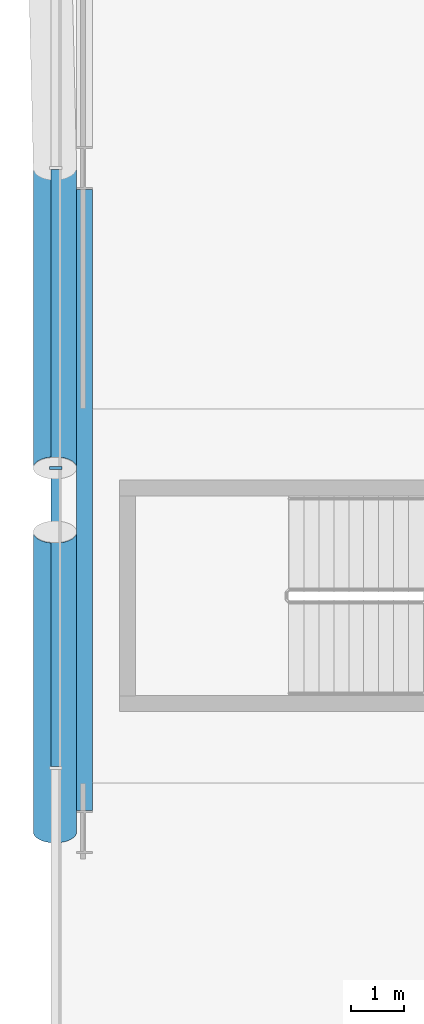
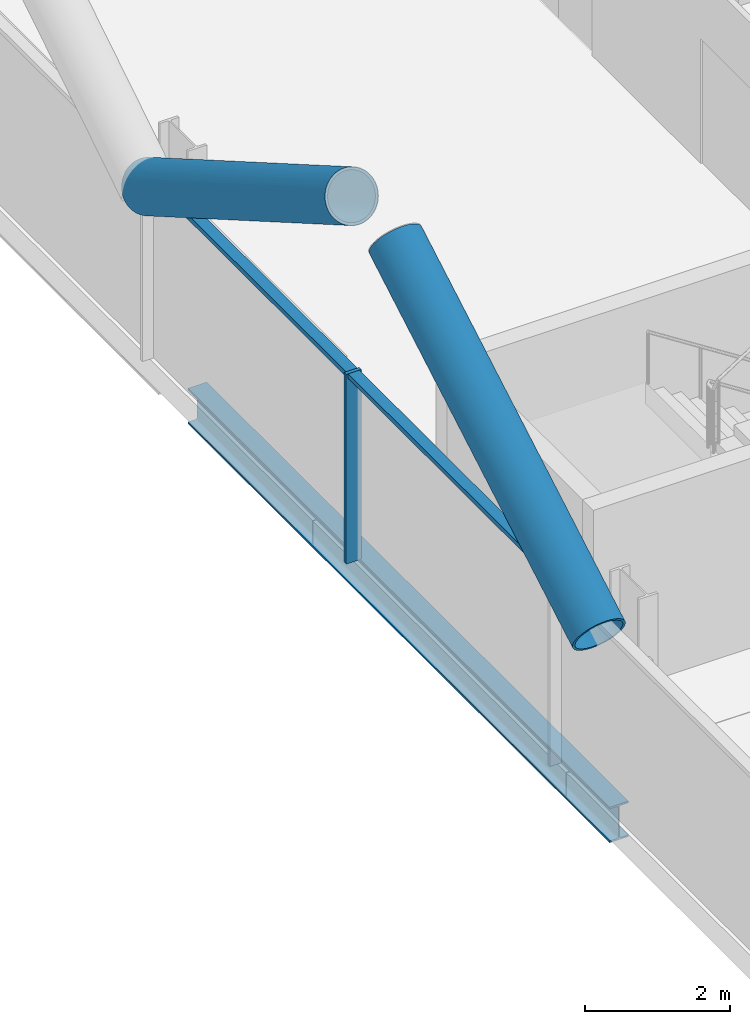
# One storey, part 6 of 25: 5 members, 1 beam, 1 element without a shape of its own.
"""IFC4 building model written with IfcOpenShell, lengths in metres."""

from ifc_helpers import new_model, si_unit, direction, frame, origin, origin_2d, place, context, subcontext, project, spatial, rectangle, hollow_circle, i_section, extrude, material, material_profile, profile_set, type_object, element, aggregate, save


model = new_model("IFC4")

# Units and contexts
model_context = context("Model", 3, precision=1e-05, world=origin(), true_north=direction((0.0, 1.0)))
body_context = subcontext(model_context, "Body", "Model", "MODEL_VIEW")
ifc_project = project(units=[si_unit("LENGTHUNIT", "METRE"), si_unit("AREAUNIT", "SQUARE_METRE"), si_unit("VOLUMEUNIT", "CUBIC_METRE"), si_unit("PLANEANGLEUNIT", "RADIAN"), si_unit("MASSUNIT", "GRAM", prefix="KILO")], contexts=[model_context])

# Site, building, storey
site_placement = place(None, origin())
site = spatial("IfcSite", under=ifc_project, at=site_placement, CompositionType="ELEMENT")
building_placement = place(site_placement, origin())
building = spatial("IfcBuilding", under=site, at=building_placement, Name="Wharfspan Tower", CompositionType="ELEMENT")
storey_placement = place(building_placement, frame((0.0, 0.0, 129.100098)))
storey = spatial("IfcBuildingStorey", under=building, at=storey_placement, Name="L30", CompositionType="ELEMENT", Elevation=129.100098)

# Beam
ifc_material_1 = material(Name="Steel S355J2", Category="steel")
ifc_material_profile_1 = material_profile(ifc_material_1, i_section(OverallWidth=0.300049, OverallDepth=0.600098, WebThickness=0.015381, FlangeThickness=0.030029, FilletRadius=0.0271, at=origin_2d()))
ifc_profile_set_1 = profile_set([ifc_material_profile_1], Name="Steel S355J2")
beam_type = type_object("IfcBeamType", Name="Edge beam HEB 600", PredefinedType="SPANDREL", material=ifc_profile_set_1)
beam_placement = place(storey_placement, frame((7.540039, 30.330322, -0.700195), z_axis=(0.0, -1.0, 0.0), x_axis=(1.0, 0.0, 0.0)))
element("IfcBeam", 1, at=beam_placement, inside=storey, type_object=beam_type, Name="Edge beam W L30 PW.1 to PW.2", PredefinedType="SPANDREL", context=body_context, shape_type="SweptSolid", body=[
    extrude(i_section(OverallWidth=0.300049, OverallDepth=0.600098, WebThickness=0.015381, FlangeThickness=0.030029, FilletRadius=0.0271, at=origin_2d()), origin(), (0.0, 0.0, 1.0), 11.660645),
])

# Curtain wall, member
ifc_material_2 = material(Name="Aluminium 6063-T6", Category="aluminium")
curtain_wall_type = type_object("IfcCurtainWallType", Name="CURTAIN WALL PROW AND END", PredefinedType="NOTDEFINED", material=ifc_material_2)
curtain_wall_placement = place(storey_placement, origin())
curtain_wall = element("IfcCurtainWall", 2, at=curtain_wall_placement, inside=storey, type_object=curtain_wall_type, Name="Curtain wall W", PredefinedType="NOTDEFINED")
ifc_material_profile_2 = material_profile(ifc_material_2, rectangle(XDim=0.23999, YDim=0.060059, at=origin_2d()))
ifc_profile_set_2 = profile_set([ifc_material_profile_2], Name="Aluminium 6063-T6")
member_type_1 = type_object("IfcMemberType", Name="MULLION PROW AND END 60x240", PredefinedType="MULLION", material=ifc_profile_set_2)
member_1_placement = place(storey_placement, frame((7.0, 25.100098, 0.0), z_axis=(0.0, 0.0, 1.0), x_axis=(1.0, 0.0, 0.0)))
member_1 = element("IfcMember", 3, at=member_1_placement, type_object=member_type_1, Name="Curtain wall W mullion 4", PredefinedType="MULLION", context=body_context, shape_type="SweptSolid", body=[
    extrude(rectangle(XDim=0.23999, YDim=0.060059, at=origin_2d()), origin(), (0.0, 0.0, 1.0), 3.199951),
])

# Members
ifc_material_3 = material(Name="Steel S460NH", Category="steel")
ifc_material_profile_3 = material_profile(ifc_material_3, hollow_circle(Radius=0.406494, WallThickness=0.040039, at=origin_2d()))
ifc_profile_set_3 = profile_set([ifc_material_profile_3], Name="Steel S460NH")
member_type_2 = type_object("IfcMemberType", Name="Mega brace CHS 813x40", PredefinedType="BRACE", material=ifc_profile_set_3)
for number, where, z_axis, x_axis, name in (
    (4, (6.985107, 30.733398, 2.899902), (0.0, -0.865959, 0.500115), (1.0, 0.0, 0.0), "Mega brace W3 L31 part 1"),
    (5, (6.985107, 18.266602, 2.899902), (0.0, 0.865959, 0.500115), (-1.0, 0.0, 0.0), "Mega brace W3 L31 part 3"),
):
    element("IfcMember", number, at=place(storey_placement, frame(where, z_axis=z_axis, x_axis=x_axis)), inside=storey, type_object=member_type_2, Name=name, PredefinedType="BRACE", context=body_context, shape_type="SweptSolid", body=[
        extrude(hollow_circle(Radius=0.406494, WallThickness=0.040039, at=origin_2d()), origin(), (0.0, 0.0, 1.0), 6.498535),
    ])

# Member
ifc_material_profile_4 = material_profile(ifc_material_2, rectangle(XDim=0.179932, YDim=0.080078, at=origin_2d()))
ifc_profile_set_4 = profile_set([ifc_material_profile_4], Name="Aluminium 6063-T6")
member_type_3 = type_object("IfcMemberType", Name="TRANSOM PROW AND END 80x180", PredefinedType="USERDEFINED", material=ifc_profile_set_4)
member_2_placement = place(storey_placement, frame((7.0, 30.703369, 3.159912), z_axis=(0.0, -1.0, 0.0), x_axis=(1.0, 0.0, 0.0)))
member_2 = element("IfcMember", 6, at=member_2_placement, type_object=member_type_3, Name="Curtain wall W transom 3", ObjectType="TRANSOM", PredefinedType="USERDEFINED", context=body_context, shape_type="SweptSolid", body=[
    extrude(rectangle(XDim=0.179932, YDim=0.080078, at=origin_2d()), origin(), (0.0, 0.0, 1.0), 5.573486),
])

member_3_placement = place(storey_placement, frame((7.0, 25.070068, 3.159912), z_axis=(0.0, -1.0, 0.0), x_axis=(1.0, 0.0, 0.0)))
member_3 = element("IfcMember", 7, at=member_3_placement, type_object=member_type_3, Name="Curtain wall W transom 4", ObjectType="TRANSOM", PredefinedType="USERDEFINED", context=body_context, shape_type="SweptSolid", body=[
    extrude(rectangle(XDim=0.179932, YDim=0.080078, at=origin_2d()), origin(), (0.0, 0.0, 1.0), 5.573486),
])

aggregate(curtain_wall, [member_1, member_2, member_3])

save(model, "model.ifc")
